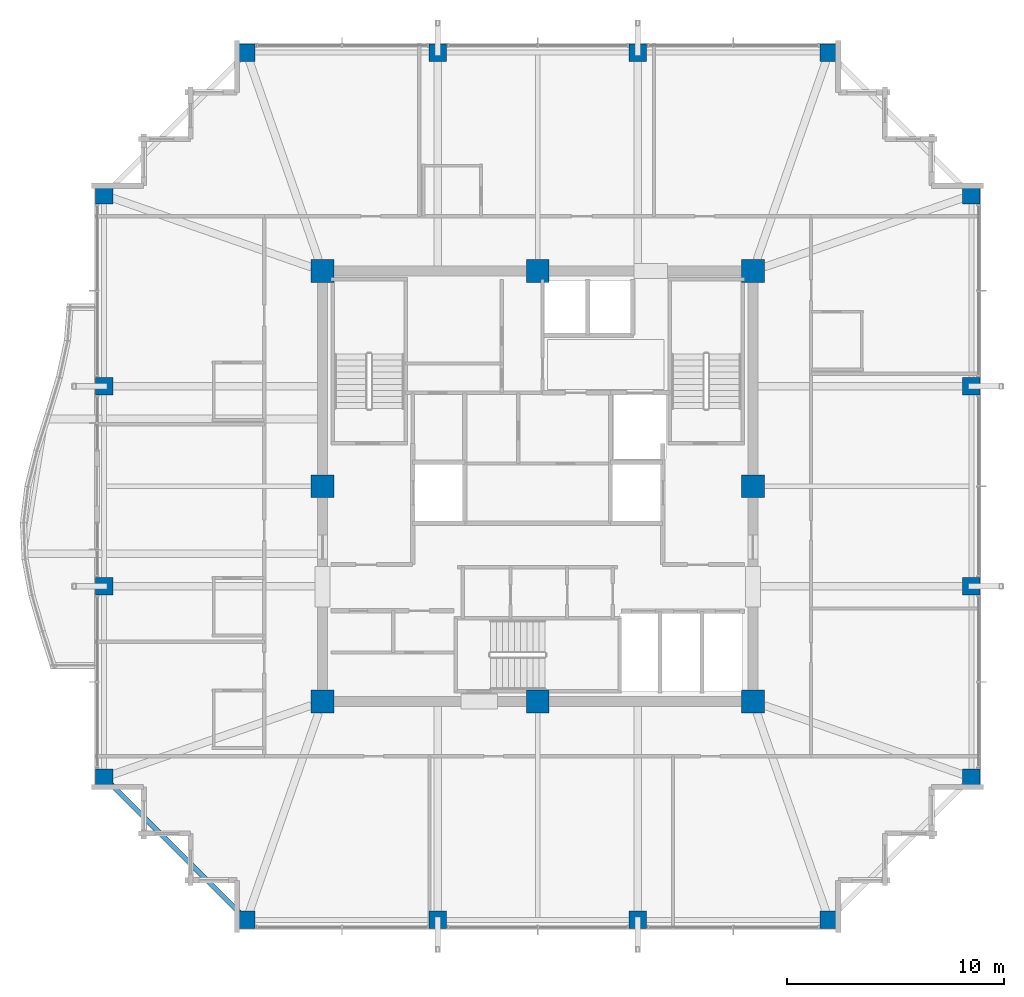
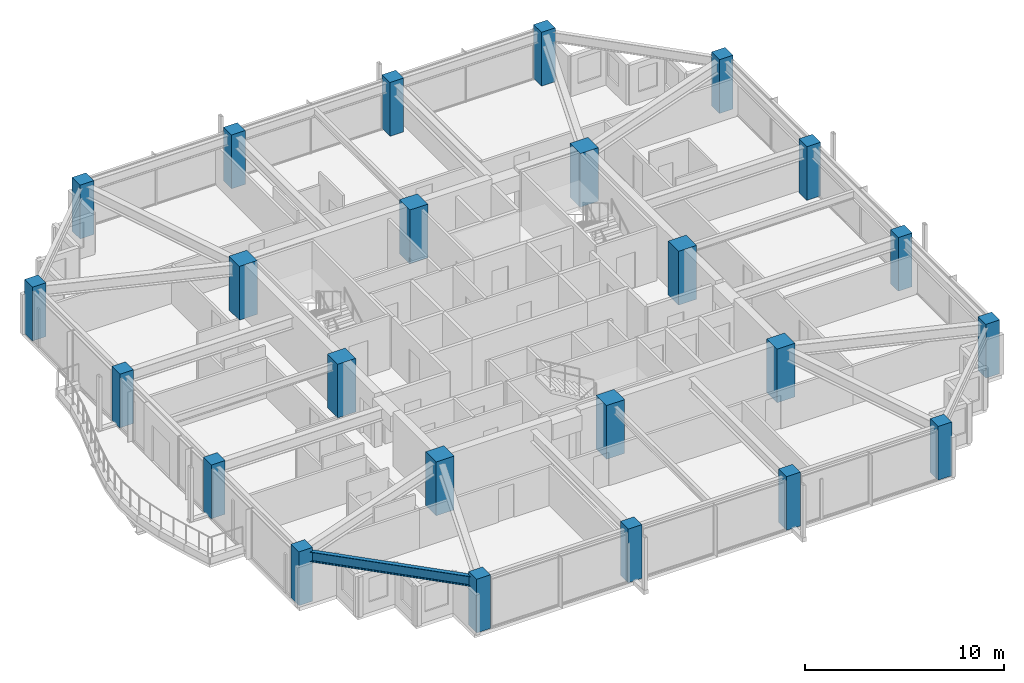
# One storey, part 1 of 33: 24 columns, 1 beam.
"""IFC4 building model written with IfcOpenShell, lengths in metres."""

from ifc_helpers import new_model, si_unit, direction, frame, origin, origin_2d, place, context, subcontext, project, spatial, rectangle, i_section, extrude, material, material_profile, profile_set, type_object, element, save


model = new_model("IFC4")

# Units and contexts
model_context = context("Model", 3, precision=1e-05, world=origin(), true_north=direction((0.0, 1.0)))
body_context = subcontext(model_context, "Body", "Model", "MODEL_VIEW")
ifc_project = project(units=[si_unit("LENGTHUNIT", "METRE"), si_unit("AREAUNIT", "SQUARE_METRE"), si_unit("VOLUMEUNIT", "CUBIC_METRE"), si_unit("PLANEANGLEUNIT", "RADIAN"), si_unit("MASSUNIT", "GRAM", prefix="KILO")], contexts=[model_context])

# Site, building, storey
site_placement = place(None, origin())
site = spatial("IfcSite", under=ifc_project, at=site_placement, CompositionType="ELEMENT")
building_placement = place(site_placement, origin())
building = spatial("IfcBuilding", under=site, at=building_placement, Name="Kolvaren Belvedere", CompositionType="ELEMENT")
storey_placement = place(building_placement, frame((0.0, 0.0, 209.699951171875)))
storey = spatial("IfcBuildingStorey", under=building, at=storey_placement, Name="L61", CompositionType="ELEMENT", Elevation=209.699951171875)

# Columns
ifc_material_1 = material(Name="Concrete C50/60", Category="concrete")
ifc_material_profile_1 = material_profile(ifc_material_1, rectangle(XDim=1.050048828125, YDim=1.050048828125, at=origin_2d()), Name="RC 1050X1050")
ifc_profile_set_1 = profile_set([ifc_material_profile_1], Name="Concrete C50/60")
column_type_1 = type_object("IfcColumnType", Name="COL-RC-1050", PredefinedType="COLUMN", material=ifc_profile_set_1)
for number, where, z_axis, x_axis, name in (
    (1, (-9.89990234375, -9.89990234375, 0.0), (0.0, 0.0, 1.0), (1.0, 0.0, 0.0), "L61 Core Column CC1"),
    (2, (9.89990234375, -9.89990234375, 0.0), (0.0, 0.0, 1.0), (1.0, 0.0, 0.0), "L61 Core Column CC2"),
    (3, (9.89990234375, 9.89990234375, 0.0), (0.0, 0.0, 1.0), (1.0, 0.0, 0.0), "L61 Core Column CC3"),
    (4, (-9.89990234375, 9.89990234375, 0.0), (0.0, 0.0, 1.0), (1.0, 0.0, 0.0), "L61 Core Column CC4"),
    (5, (0.0, -9.89990234375, 0.0), (0.0, 0.0, 1.0), (1.0, 0.0, 0.0), "L61 Core Column CM1"),
    (6, (9.89990234375, 0.0, 0.0), (0.0, 0.0, 1.0), (1.0, 0.0, 0.0), "L61 Core Column CM2"),
    (7, (0.0, 9.89990234375, 0.0), (0.0, 0.0, 1.0), (1.0, 0.0, 0.0), "L61 Core Column CM3"),
    (8, (-9.89990234375, 0.0, 0.0), (0.0, 0.0, 1.0), (1.0, 0.0, 0.0), "L61 Core Column CM4"),
):
    element("IfcColumn", number, at=place(storey_placement, frame(where, z_axis=z_axis, x_axis=x_axis)), inside=storey, type_object=column_type_1, Name=name, PredefinedType="COLUMN", context=body_context, shape_type="SweptSolid", body=[
        extrude(rectangle(XDim=1.050048828125, YDim=1.050048828125, at=origin_2d()), origin(), (0.0, 0.0, 1.0), 3.300048828125),
    ])
ifc_material_2 = material(Name="Concrete C50/60", Category="concrete")
ifc_material_profile_2 = material_profile(ifc_material_2, rectangle(XDim=0.800048828125, YDim=0.800048828125, at=origin_2d()), Name="RC 800X800")
ifc_profile_set_2 = profile_set([ifc_material_profile_2], Name="Concrete C50/60")
column_type_2 = type_object("IfcColumnType", Name="COL-RC-800", PredefinedType="COLUMN", material=ifc_profile_set_2)
for number, where, z_axis, x_axis, name in (
    (9, (-13.39990234375, -19.949951171875, 0.0), (0.0, 0.0, 1.0), (1.0, 0.0, 0.0), "L61 Perimeter Column S1"),
    (10, (-4.60009765625, -19.949951171875, 0.0), (0.0, 0.0, 1.0), (1.0, 0.0, 0.0), "L61 Perimeter Column S2"),
    (11, (4.60009765625, -19.949951171875, 0.0), (0.0, 0.0, 1.0), (1.0, 0.0, 0.0), "L61 Perimeter Column S3"),
    (12, (13.39990234375, -19.949951171875, 0.0), (0.0, 0.0, 1.0), (1.0, 0.0, 0.0), "L61 Perimeter Column S4"),
    (13, (-13.39990234375, 19.949951171875, 0.0), (0.0, 0.0, 1.0), (1.0, 0.0, 0.0), "L61 Perimeter Column N1"),
    (14, (-4.60009765625, 19.949951171875, 0.0), (0.0, 0.0, 1.0), (1.0, 0.0, 0.0), "L61 Perimeter Column N2"),
    (15, (4.60009765625, 19.949951171875, 0.0), (0.0, 0.0, 1.0), (1.0, 0.0, 0.0), "L61 Perimeter Column N3"),
    (16, (13.39990234375, 19.949951171875, 0.0), (0.0, 0.0, 1.0), (1.0, 0.0, 0.0), "L61 Perimeter Column N4"),
    (17, (-19.949951171875, -13.39990234375, 0.0), (0.0, 0.0, 1.0), (1.0, 0.0, 0.0), "L61 Perimeter Column W1"),
    (18, (-19.949951171875, -4.60009765625, 0.0), (0.0, 0.0, 1.0), (1.0, 0.0, 0.0), "L61 Perimeter Column W2"),
    (19, (-19.949951171875, 4.60009765625, 0.0), (0.0, 0.0, 1.0), (1.0, 0.0, 0.0), "L61 Perimeter Column W3"),
    (20, (-19.949951171875, 13.39990234375, 0.0), (0.0, 0.0, 1.0), (1.0, 0.0, 0.0), "L61 Perimeter Column W4"),
    (21, (19.949951171875, -13.39990234375, 0.0), (0.0, 0.0, 1.0), (1.0, 0.0, 0.0), "L61 Perimeter Column E1"),
    (22, (19.949951171875, -4.60009765625, 0.0), (0.0, 0.0, 1.0), (1.0, 0.0, 0.0), "L61 Perimeter Column E2"),
    (23, (19.949951171875, 4.60009765625, 0.0), (0.0, 0.0, 1.0), (1.0, 0.0, 0.0), "L61 Perimeter Column E3"),
    (24, (19.949951171875, 13.39990234375, 0.0), (0.0, 0.0, 1.0), (1.0, 0.0, 0.0), "L61 Perimeter Column E4"),
):
    element("IfcColumn", number, at=place(storey_placement, frame(where, z_axis=z_axis, x_axis=x_axis)), inside=storey, type_object=column_type_2, Name=name, PredefinedType="COLUMN", context=body_context, shape_type="SweptSolid", body=[
        extrude(rectangle(XDim=0.800048828125, YDim=0.800048828125, at=origin_2d()), origin(), (0.0, 0.0, 1.0), 3.300048828125),
    ])

# Beam
ifc_material_3 = material(Name="Structural steel ASTM A992 Grade 50", Category="steel")
ifc_material_profile_3 = material_profile(ifc_material_3, i_section(OverallWidth=0.22900390625, OverallDepth=0.612060546875, WebThickness=0.011962890625, FlangeThickness=0.01953125, FilletRadius=0.01806640625, at=origin_2d()), Name="W24X84")
ifc_profile_set_3 = profile_set([ifc_material_profile_3], Name="Structural steel ASTM A992 Grade 50")
beam_type = type_object("IfcBeamType", Name="BM-SPAN-W24X84", PredefinedType="SPANDREL", material=ifc_profile_set_3)
beam_placement = place(storey_placement, frame((-19.82275390625, -13.52734375, 2.774169921875), z_axis=(0.707106781187, -0.707106781187, 0.0), x_axis=(0.707106781187, 0.707106781187, 0.0)))
element("IfcBeam", 25, at=beam_placement, inside=storey, type_object=beam_type, Name="L61 Perimeter Spandrel W1-S1", PredefinedType="SPANDREL", context=body_context, shape_type="SweptSolid", body=[
    extrude(i_section(OverallWidth=0.22900390625, OverallDepth=0.612060546875, WebThickness=0.011962890625, FlangeThickness=0.01953125, FilletRadius=0.01806640625, at=origin_2d()), origin(), (0.0, 0.0, 1.0), 8.903076171875),
])

save(model, "model.ifc")
